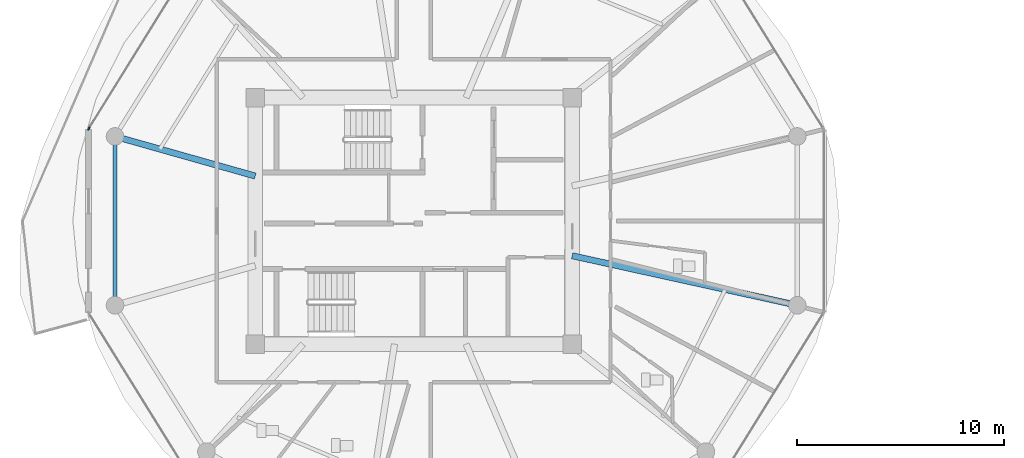
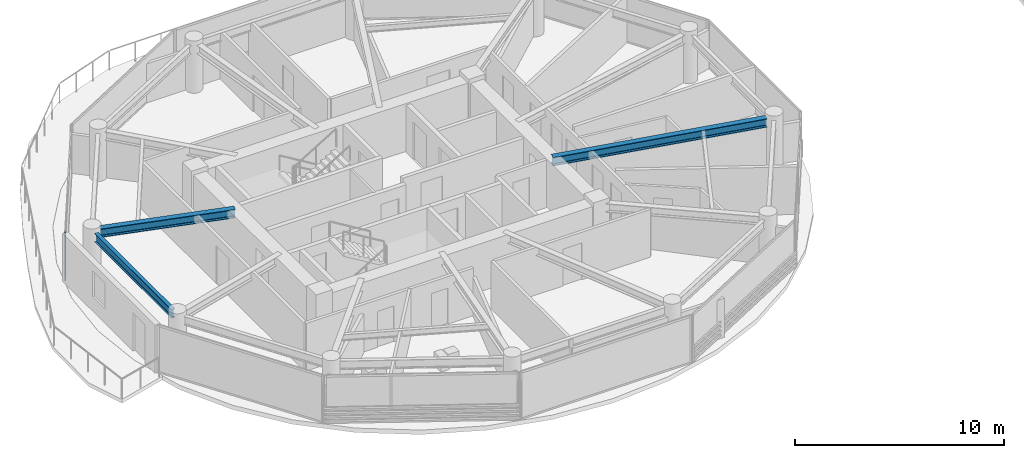
# One storey, part 3 of 25: 3 beams, 1 member, 1 element without a shape of its own.
"""IFC4 building model written with IfcOpenShell, lengths in metres."""

from ifc_helpers import new_model, si_unit, direction, frame, origin, origin_2d, place, context, subcontext, project, spatial, rectangle, i_section, extrude, source, transform, mapped, material, layer, layer_set, material_profile, profile_set, type_object, type_shapes, element, aggregate, save


model = new_model("IFC4")

# Units and contexts
model_context = context("Model", 3, precision=1e-05, world=origin(), true_north=direction((0.0, 1.0)))
body_context = subcontext(model_context, "Body", "Model", "MODEL_VIEW")
ifc_project = project(units=[si_unit("LENGTHUNIT", "METRE"), si_unit("AREAUNIT", "SQUARE_METRE"), si_unit("VOLUMEUNIT", "CUBIC_METRE"), si_unit("PLANEANGLEUNIT", "RADIAN"), si_unit("MASSUNIT", "GRAM", prefix="KILO")], contexts=[model_context])

# Site, building, storey
site_placement = place(None, origin())
site = spatial("IfcSite", under=ifc_project, at=site_placement, CompositionType="ELEMENT")
building_placement = place(site_placement, origin())
building = spatial("IfcBuilding", under=site, at=building_placement, Name="Norrkilde Senior Care Towers", CompositionType="ELEMENT")
storey_placement = place(building_placement, frame((0.0, 0.0, 84.050048828125)))
storey = spatial("IfcBuildingStorey", under=building, at=storey_placement, Name="L25", CompositionType="ELEMENT", Elevation=84.050048828125)

# Beams
ifc_material_1 = material(Name="Steel S355", Category="steel")
ifc_material_profile_1 = material_profile(ifc_material_1, i_section(OverallWidth=0.300048828125, OverallDepth=0.5, WebThickness=0.014404296875, FlangeThickness=0.028076171875, FilletRadius=0.027099609375, at=origin_2d()), Name="HEB 500")
ifc_profile_set_1 = profile_set([ifc_material_profile_1], Name="Steel S355")
beam_type_1 = type_object("IfcBeamType", Name="Radial Floor Beam Z2 HEB500", PredefinedType="BEAM", material=ifc_profile_set_1)
shared_shape_1 = source(origin(), body_context, "Body", "SweptSolid", [
    extrude(i_section(OverallWidth=0.300048828125, OverallDepth=0.5, WebThickness=0.014404296875, FlangeThickness=0.028076171875, FilletRadius=0.027099609375, at=origin_2d()), origin(), (0.0, 0.0, 1.0), 10.744384765625),
])
beam_1_placement = place(storey_placement, frame((-20.35009765625, -1.683837890625, 2.5400390625), z_axis=(0.976618711422, -0.214978818724, 0.0), x_axis=(0.214978818724, 0.976618711422, 0.0)))
element("IfcBeam", 1, at=beam_1_placement, inside=storey, type_object=beam_type_1, Name="L25 Drum W Radial Floor Beam 12", PredefinedType="BEAM", context=body_context, shape_type="MappedRepresentation", body=[
    mapped(shared_shape_1, transform((0.0, 0.0, 0.0), x_axis=(1.0, 0.0, 0.0), y_axis=(0.0, 1.0, 0.0), z_axis=(0.0, 0.0, 1.0), scale=1.0)),
])
ifc_material_profile_2 = material_profile(ifc_material_1, i_section(OverallWidth=0.199951171875, OverallDepth=0.5, WebThickness=0.01025390625, FlangeThickness=0.01611328125, FilletRadius=0.02099609375, at=origin_2d()), Name="IPE 500")
ifc_profile_set_2 = profile_set([ifc_material_profile_2], Name="Steel S355")
beam_type_2 = type_object("IfcBeamType", Name="Perimeter Ring Spandrel Z2 IPE500", PredefinedType="SPANDREL", material=ifc_profile_set_2)
shared_shape_2 = source(origin(), body_context, "Body", "SweptSolid", [
    extrude(i_section(OverallWidth=0.199951171875, OverallDepth=0.5, WebThickness=0.01025390625, FlangeThickness=0.01611328125, FilletRadius=0.02099609375, at=origin_2d()), origin(), (0.0, 0.0, 1.0), 7.3828125),
])
type_shapes(beam_type_2, [shared_shape_2])
beam_2_placement = place(storey_placement, frame((-42.4189453125, 3.69140625, 2.5400390625), z_axis=(0.0, -1.0, 0.0), x_axis=(1.0, 0.0, 0.0)))
element("IfcBeam", 2, at=beam_2_placement, inside=storey, type_object=beam_type_2, Name="L25 Drum W Perimeter Spandrel 06", PredefinedType="SPANDREL", context=body_context, shape_type="MappedRepresentation", body=[
    mapped(shared_shape_2, transform((0.0, 0.0, 0.0), x_axis=(1.0, 0.0, 0.0), y_axis=(0.0, 1.0, 0.0), z_axis=(0.0, 0.0, 1.0), scale=1.0)),
])
shared_shape_3 = source(origin(), body_context, "Body", "SweptSolid", [
    extrude(i_section(OverallWidth=0.300048828125, OverallDepth=0.5, WebThickness=0.014404296875, FlangeThickness=0.028076171875, FilletRadius=0.027099609375, at=origin_2d()), origin(), (0.0, 0.0, 1.0), 6.6494140625),
])
type_shapes(beam_type_1, [shared_shape_1, shared_shape_3])
beam_3_placement = place(storey_placement, frame((-35.64990234375, 2.162841796875, 2.5400390625), z_axis=(-0.962289138357, 0.27202870106, 0.0), x_axis=(-0.27202870106, -0.962289138357, 0.0)))
element("IfcBeam", 3, at=beam_3_placement, inside=storey, type_object=beam_type_1, Name="L25 Drum W Radial Floor Beam 06", PredefinedType="BEAM", context=body_context, shape_type="MappedRepresentation", body=[
    mapped(shared_shape_3, transform((0.0, 0.0, 0.0), x_axis=(1.0, 0.0, 0.0), y_axis=(0.0, 1.0, 0.0), z_axis=(0.0, 0.0, 1.0), scale=1.0)),
])

# Curtain wall, member
ifc_material_2 = material(Name="Triple Low-E Insulated Glazing", Category="glass")
ifc_layer = layer(ifc_material_2, 0.195068359375)
ifc_layer_set = layer_set([ifc_layer], Name="Triple Low-E Insulated Glazing")
curtain_wall_type = type_object("IfcCurtainWallType", Name="CW3 Zone 2 Assisted Living Curtain Wall", PredefinedType="NOTDEFINED", material=ifc_layer_set)
curtain_wall_placement = place(storey_placement, origin())
curtain_wall = element("IfcCurtainWall", 4, at=curtain_wall_placement, inside=storey, type_object=curtain_wall_type, Name="L25 Drum W Curtain Wall 04", PredefinedType="NOTDEFINED")
ifc_material_3 = material(Name="Anodised Aluminium", Category="aluminium")
ifc_material_profile_3 = material_profile(ifc_material_3, rectangle(XDim=0.06494140625, YDim=0.159912109375, at=origin_2d()), Name="ALU MULL 65x160")
ifc_profile_set_3 = profile_set([ifc_material_profile_3], Name="Anodised Aluminium")
member_type = type_object("IfcMemberType", Name="Curtain Wall Mullion Z1-Z2 65x160", PredefinedType="MULLION", material=ifc_profile_set_3)
shared_shape_4 = source(origin(), body_context, "Body", "SweptSolid", [
    extrude(rectangle(XDim=0.06494140625, YDim=0.159912109375, at=origin_2d()), origin(), (0.0, 0.0, 1.0), 2.7900390625),
])
type_shapes(member_type, [shared_shape_4])
member_placement = place(storey_placement, frame((-43.6865234375, 4.4482421875, 0.0), z_axis=(0.0, 0.0, 1.0), x_axis=(-0.849410171862, 0.527733228002, 0.0)))
member = element("IfcMember", 5, at=member_placement, type_object=member_type, Name="CW-3 mullion 1", PredefinedType="MULLION", context=body_context, shape_type="MappedRepresentation", body=[
    mapped(shared_shape_4, transform((0.0, 0.0, 0.0), x_axis=(1.0, 0.0, 0.0), y_axis=(0.0, 1.0, 0.0), z_axis=(0.0, 0.0, 1.0), scale=1.0)),
])
aggregate(curtain_wall, [member])

save(model, "model.ifc")
